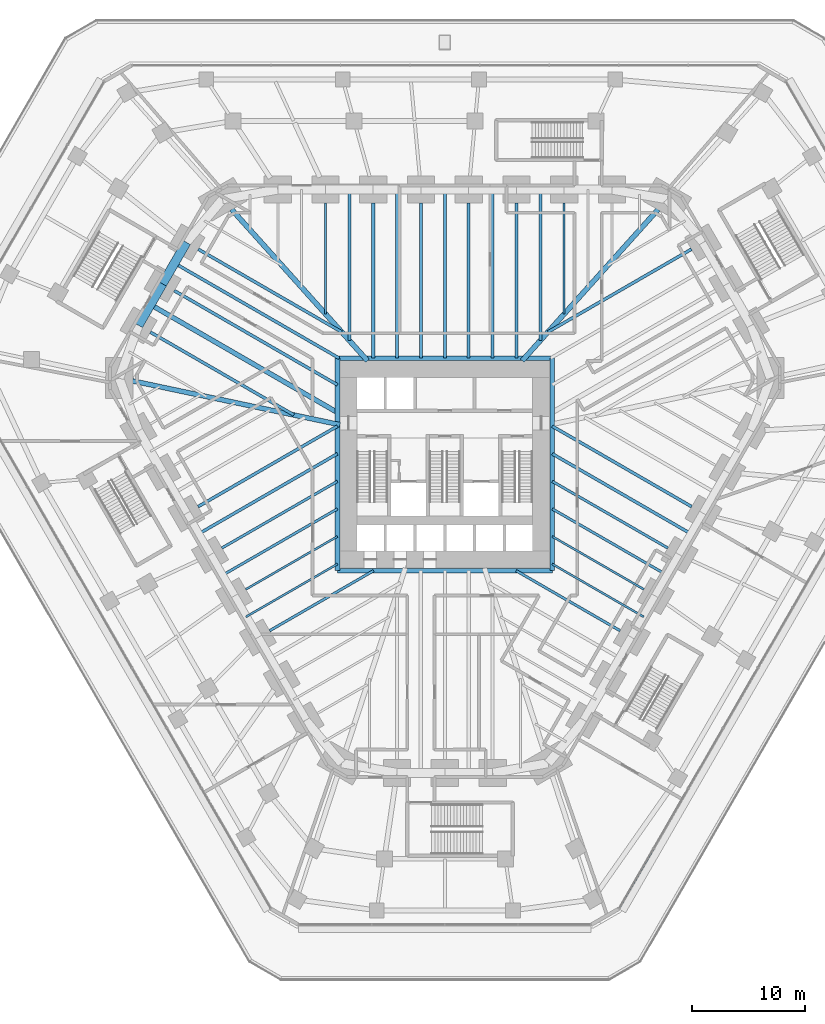
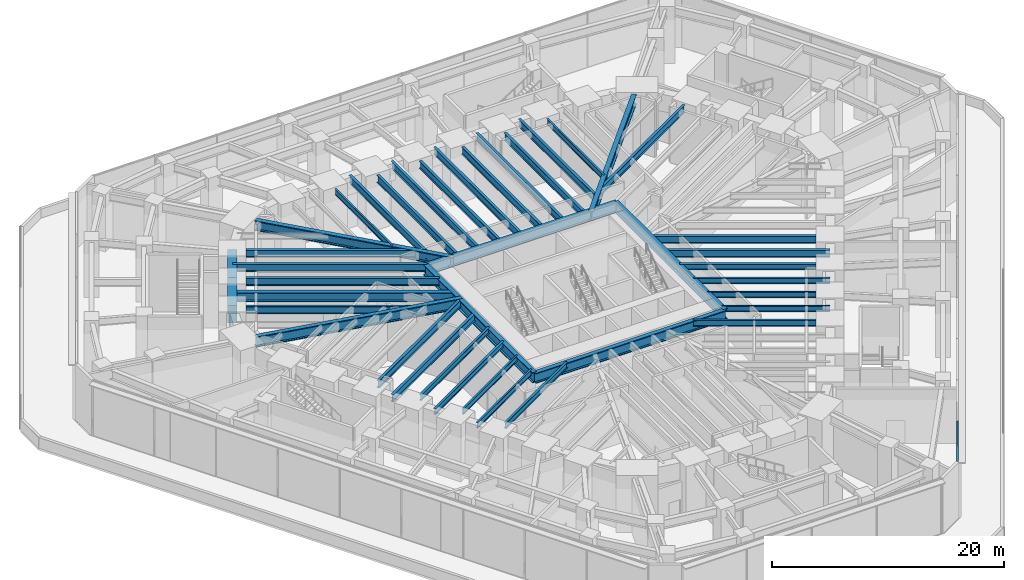
# One storey, part 6 of 25: 40 beams, 1 member, 1 element without a shape of its own.
"""IFC4 building model written with IfcOpenShell, lengths in metres."""

from ifc_helpers import new_model, si_unit, direction, frame, origin, origin_2d, place, context, subcontext, project, spatial, rectangle, i_section, extrude, material, material_profile, profile_set, type_object, element, aggregate, save


model = new_model("IFC4")

# Units and contexts
model_context = context("Model", 3, precision=1e-05, world=origin(), true_north=direction((0.0, 1.0)))
body_context = subcontext(model_context, "Body", "Model", "MODEL_VIEW")
ifc_project = project(units=[si_unit("LENGTHUNIT", "METRE"), si_unit("AREAUNIT", "SQUARE_METRE"), si_unit("VOLUMEUNIT", "CUBIC_METRE"), si_unit("PLANEANGLEUNIT", "RADIAN"), si_unit("MASSUNIT", "GRAM", prefix="KILO")], contexts=[model_context])

# Site, building, storey
site_placement = place(None, origin())
site = spatial("IfcSite", under=ifc_project, at=site_placement, CompositionType="ELEMENT")
building_placement = place(site_placement, origin())
building = spatial("IfcBuilding", under=site, at=building_placement, Name="Sandreach Pilgrim Tower", CompositionType="ELEMENT")
storey_placement = place(building_placement, frame((0.0, 0.0, 6.0)))
storey = spatial("IfcBuildingStorey", under=building, at=storey_placement, Name="L01", CompositionType="ELEMENT", Elevation=6.0)

# Curtain wall, member
ifc_material_1 = material(Name="Aluminium framed curtain wall", Category="aluminium")
curtain_wall_type = type_object("IfcCurtainWallType", Name="Podium storefront curtain wall", PredefinedType="NOTDEFINED", material=ifc_material_1)
curtain_wall_placement = place(storey_placement, origin())
curtain_wall = element("IfcCurtainWall", 1, at=curtain_wall_placement, inside=storey, type_object=curtain_wall_type, Name="CW-P L01 SE", PredefinedType="NOTDEFINED")
ifc_material_2 = material(Name="Aluminium extrusion", Category="aluminium")
ifc_material_profile_1 = material_profile(ifc_material_2, rectangle(XDim=0.159912109375, YDim=0.070068359375, at=origin_2d()), Name="CW-PT 160X70")
ifc_profile_set_1 = profile_set([ifc_material_profile_1], Name="Aluminium extrusion")
member_type = type_object("IfcMemberType", Name="CW-P transom", PredefinedType="USERDEFINED", material=ifc_profile_set_1)
member_placement = place(storey_placement, frame((18.385498046875, -35.451904296875, 5.804931640625), z_axis=(-0.500009808318, -0.866019740875, 0.0), x_axis=(0.866019740875, -0.500009808318, 0.0)))
member = element("IfcMember", 2, at=member_placement, type_object=member_type, Name="CW-P head transom 9", ObjectType="TRANSOM", PredefinedType="USERDEFINED", context=body_context, shape_type="SweptSolid", body=[
    extrude(rectangle(XDim=0.159912109375, YDim=0.070068359375, at=origin_2d()), origin(), (0.0, 0.0, 1.0), 6.03076171875),
])
aggregate(curtain_wall, [member])

# Beams
ifc_material_3 = material(Name="Steel ASTM A992 Grade 50", Category="steel")
ifc_material_profile_2 = material_profile(ifc_material_3, i_section(OverallWidth=0.424072265625, OverallDepth=1.09228515625, WebThickness=0.04541015625, FlangeThickness=0.08203125, at=origin_2d()), Name="W40X593")
ifc_profile_set_2 = profile_set([ifc_material_profile_2], Name="Steel ASTM A992 Grade 50")
beam_type_1 = type_object("IfcBeamType", Name="Core edge beam W40X593", PredefinedType="BEAM", material=ifc_profile_set_2)
beam_1_placement = place(storey_placement, frame((-9.47216796875, 7.822021484375, 5.2939453125), z_axis=(1.0, 0.0, 0.0), x_axis=(0.0, 1.0, 0.0)))
element("IfcBeam", 3, at=beam_1_placement, inside=storey, type_object=beam_type_1, Name="BM L01 CEN", PredefinedType="BEAM", context=body_context, shape_type="SweptSolid", body=[
    extrude(i_section(OverallWidth=0.424072265625, OverallDepth=1.09228515625, WebThickness=0.04541015625, FlangeThickness=0.08203125, at=origin_2d()), origin(), (0.0, 0.0, 1.0), 18.9443359375),
])
beam_2_placement = place(storey_placement, frame((9.47216796875, 7.822021484375, 5.2939453125), z_axis=(0.0, -1.0, 0.0), x_axis=(1.0, 0.0, 0.0)))
element("IfcBeam", 4, at=beam_2_placement, inside=storey, type_object=beam_type_1, Name="BM L01 CEE", PredefinedType="BEAM", context=body_context, shape_type="SweptSolid", body=[
    extrude(i_section(OverallWidth=0.424072265625, OverallDepth=1.09228515625, WebThickness=0.04541015625, FlangeThickness=0.08203125, at=origin_2d()), origin(), (0.0, 0.0, 1.0), 18.744140625),
])
beam_3_placement = place(storey_placement, frame((9.47216796875, -10.922119140625, 5.2939453125), z_axis=(-1.0, 0.0, 0.0), x_axis=(0.0, -1.0, 0.0)))
element("IfcBeam", 5, at=beam_3_placement, inside=storey, type_object=beam_type_1, Name="BM L01 CES", PredefinedType="BEAM", context=body_context, shape_type="SweptSolid", body=[
    extrude(i_section(OverallWidth=0.424072265625, OverallDepth=1.09228515625, WebThickness=0.04541015625, FlangeThickness=0.08203125, at=origin_2d()), origin(), (0.0, 0.0, 1.0), 18.9443359375),
])
beam_4_placement = place(storey_placement, frame((-9.47216796875, -10.922119140625, 5.2939453125), z_axis=(0.0, 1.0, 0.0), x_axis=(-1.0, 0.0, 0.0)))
element("IfcBeam", 6, at=beam_4_placement, inside=storey, type_object=beam_type_1, Name="BM L01 CEW", PredefinedType="BEAM", context=body_context, shape_type="SweptSolid", body=[
    extrude(i_section(OverallWidth=0.424072265625, OverallDepth=1.09228515625, WebThickness=0.04541015625, FlangeThickness=0.08203125, at=origin_2d()), origin(), (0.0, 0.0, 1.0), 18.744140625),
])
ifc_material_4 = material(Name="Steel ASTM A992 Grade 50", Category="steel")
ifc_material_profile_3 = material_profile(ifc_material_4, i_section(OverallWidth=0.447021484375, OverallDepth=1.0439453125, WebThickness=0.050048828125, FlangeThickness=0.08984375, at=origin_2d()), Name="W36X652")
ifc_profile_set_3 = profile_set([ifc_material_profile_3], Name="Steel ASTM A992 Grade 50")
beam_type_2 = type_object("IfcBeamType", Name="Corner girder W36X652", PredefinedType="BEAM", material=ifc_profile_set_3)
for number, where, z_axis, x_axis, name in (
    (7, (18.8046875, 20.94189453125, 5.318115234375), (-0.668127834846, -0.74404650144, 0.0), (0.74404650144, -0.668127834846, 0.0), "BM L01 CG09"),
    (8, (-18.8046875, 20.94189453125, 5.318115234375), (0.668127834846, -0.74404650144, 0.0), (0.74404650144, 0.668127834846, 0.0), "BM L01 CG39"),
):
    element("IfcBeam", number, at=place(storey_placement, frame(where, z_axis=z_axis, x_axis=x_axis)), inside=storey, type_object=beam_type_2, Name=name, PredefinedType="BEAM", context=body_context, shape_type="SweptSolid", body=[
        extrude(i_section(OverallWidth=0.447021484375, OverallDepth=1.0439453125, WebThickness=0.050048828125, FlangeThickness=0.08984375, at=origin_2d()), origin(), (0.0, 0.0, 1.0), 17.931396484375),
    ])
ifc_material_5 = material(Name="Steel ASTM A992 Grade 50", Category="steel")
ifc_material_profile_4 = material_profile(ifc_material_5, i_section(OverallWidth=0.424072265625, OverallDepth=1.09228515625, WebThickness=0.04541015625, FlangeThickness=0.08203125, at=origin_2d()), Name="W40X593")
ifc_profile_set_4 = profile_set([ifc_material_profile_4], Name="Steel ASTM A992 Grade 50")
beam_type_3 = type_object("IfcBeamType", Name="Corner girder W40X593", PredefinedType="BEAM", material=ifc_profile_set_4)
beam_5_placement = place(storey_placement, frame((-27.53857421875, 5.814208984375, 5.2939453125), z_axis=(0.978429884383, -0.206579189045, 0.0), x_axis=(0.206579189045, 0.978429884383, 0.0)))
element("IfcBeam", 9, at=beam_5_placement, inside=storey, type_object=beam_type_3, Name="BM L01 CG35", PredefinedType="BEAM", context=body_context, shape_type="SweptSolid", body=[
    extrude(i_section(OverallWidth=0.424072265625, OverallDepth=1.09228515625, WebThickness=0.04541015625, FlangeThickness=0.08203125, at=origin_2d()), origin(), (0.0, 0.0, 1.0), 18.691650390625),
])
ifc_material_6 = material(Name="Steel ASTM A992 Grade 50", Category="steel")
ifc_material_profile_5 = material_profile(ifc_material_6, i_section(OverallWidth=0.1787109375, OverallDepth=0.60205078125, WebThickness=0.010986328125, FlangeThickness=0.014892578125, at=origin_2d()), Name="W24X62")
ifc_profile_set_5 = profile_set([ifc_material_profile_5], Name="Steel ASTM A992 Grade 50")
beam_type_4 = type_object("IfcBeamType", Name="Floor beam W24X62", PredefinedType="BEAM", material=ifc_profile_set_5)
for number, where, z_axis, x_axis, name in (
    (10, (-10.52490234375, 21.48876953125, 5.5390625), (0.0, -1.0, 0.0), (1.0, 0.0, 0.0), "BM L01 F02"),
    (11, (10.52490234375, 21.48876953125, 5.5390625), (0.0, -1.0, 0.0), (1.0, 0.0, 0.0), "BM L01 F07"),
):
    element("IfcBeam", number, at=place(storey_placement, frame(where, z_axis=z_axis, x_axis=x_axis)), inside=storey, type_object=beam_type_4, Name=name, PredefinedType="BEAM", context=body_context, shape_type="SweptSolid", body=[
        extrude(i_section(OverallWidth=0.1787109375, OverallDepth=0.60205078125, WebThickness=0.010986328125, FlangeThickness=0.014892578125, at=origin_2d()), origin(), (0.0, 0.0, 1.0), 9.767822265625),
    ])
for number, where, z_axis, x_axis, name in (
    (12, (17.557373046875, -12.5673828125, 5.5390625), (-0.866026636512, 0.499997864846, 0.0), (-0.499997864846, -0.866026636512, 0.0), "BM L01 F18"),
    (13, (-17.557373046875, -12.5673828125, 5.5390625), (0.866026636512, 0.499997864846, 0.0), (-0.499997864846, 0.866026636512, 0.0), "BM L01 F30"),
):
    element("IfcBeam", number, at=place(storey_placement, frame(where, z_axis=z_axis, x_axis=x_axis)), inside=storey, type_object=beam_type_4, Name=name, PredefinedType="BEAM", context=body_context, shape_type="SweptSolid", body=[
        extrude(i_section(OverallWidth=0.1787109375, OverallDepth=0.60205078125, WebThickness=0.010986328125, FlangeThickness=0.014892578125, at=origin_2d()), origin(), (0.0, 0.0, 1.0), 9.3359375),
    ])
for number, where, z_axis, x_axis, name in (
    (14, (17.5439453125, -14.990234375, 5.5390625), (-0.866018083415, 0.500012679037, 0.0), (-0.500012679037, -0.866018083415, 0.0), "BM L01 FM18"),
    (15, (-17.5439453125, -14.990234375, 5.5390625), (0.866018083415, 0.500012679037, 0.0), (-0.500012679037, 0.866018083415, 0.0), "BM L01 FM29"),
):
    element("IfcBeam", number, at=place(storey_placement, frame(where, z_axis=z_axis, x_axis=x_axis)), inside=storey, type_object=beam_type_4, Name=name, PredefinedType="BEAM", context=body_context, shape_type="SweptSolid", body=[
        extrude(i_section(OverallWidth=0.1787109375, OverallDepth=0.60205078125, WebThickness=0.010986328125, FlangeThickness=0.014892578125, at=origin_2d()), origin(), (0.0, 0.0, 1.0), 9.320556640625),
    ])
ifc_material_7 = material(Name="Steel ASTM A992 Grade 50", Category="steel")
ifc_material_profile_6 = material_profile(ifc_material_7, i_section(OverallWidth=0.23046875, OverallDepth=0.6171875, WebThickness=0.01318359375, FlangeThickness=0.022216796875, at=origin_2d()), Name="W24X94")
ifc_profile_set_6 = profile_set([ifc_material_profile_6], Name="Steel ASTM A992 Grade 50")
beam_type_5 = type_object("IfcBeamType", Name="Floor beam W24X94", PredefinedType="BEAM", material=ifc_profile_set_6)
beam_6_placement = place(storey_placement, frame((19.662353515625, -8.92138671875, 5.531494140625), z_axis=(-0.866025609399, 0.499999643865, 0.0), x_axis=(-0.499999643865, -0.866025609399, 0.0)))
element("IfcBeam", 16, at=beam_6_placement, inside=storey, type_object=beam_type_5, Name="BM L01 F17", PredefinedType="BEAM", context=body_context, shape_type="SweptSolid", body=[
    extrude(i_section(OverallWidth=0.23046875, OverallDepth=0.6171875, WebThickness=0.01318359375, FlangeThickness=0.022216796875, at=origin_2d()), origin(), (0.0, 0.0, 1.0), 11.7666015625),
])
for number, where, z_axis, x_axis, name in (
    (17, (15.452392578125, -16.213134765625, 5.531494140625), (-0.866031141999, 0.499990060989, 0.0), (-0.499990060989, -0.866031141999, 0.0), "BM L01 F19"),
    (18, (-15.452392578125, -16.213134765625, 5.531494140625), (0.866031141999, 0.499990060989, 0.0), (-0.499990060989, 0.866031141999, 0.0), "BM L01 F29"),
):
    element("IfcBeam", number, at=place(storey_placement, frame(where, z_axis=z_axis, x_axis=x_axis)), inside=storey, type_object=beam_type_5, Name=name, PredefinedType="BEAM", context=body_context, shape_type="SweptSolid", body=[
        extrude(i_section(OverallWidth=0.23046875, OverallDepth=0.6171875, WebThickness=0.01318359375, FlangeThickness=0.022216796875, at=origin_2d()), origin(), (0.0, 0.0, 1.0), 10.582275390625),
    ])
beam_7_placement = place(storey_placement, frame((-19.662353515625, -8.92138671875, 5.531494140625), z_axis=(0.866025609399, 0.499999643865, 0.0), x_axis=(-0.499999643865, 0.866025609399, 0.0)))
element("IfcBeam", 19, at=beam_7_placement, inside=storey, type_object=beam_type_5, Name="BM L01 F31", PredefinedType="BEAM", context=body_context, shape_type="SweptSolid", body=[
    extrude(i_section(OverallWidth=0.23046875, OverallDepth=0.6171875, WebThickness=0.01318359375, FlangeThickness=0.022216796875, at=origin_2d()), origin(), (0.0, 0.0, 1.0), 11.7666015625),
])
for number, where, z_axis, x_axis, name in (
    (20, (19.64892578125, -11.34423828125, 5.531494140625), (-0.866027820364, 0.499995814338, 0.0), (-0.499995814338, -0.866027820364, 0.0), "BM L01 FM17"),
    (21, (-19.64892578125, -11.34423828125, 5.531494140625), (0.866027820364, 0.499995814338, 0.0), (-0.499995814338, 0.866027820364, 0.0), "BM L01 FM30"),
):
    element("IfcBeam", number, at=place(storey_placement, frame(where, z_axis=z_axis, x_axis=x_axis)), inside=storey, type_object=beam_type_5, Name=name, PredefinedType="BEAM", context=body_context, shape_type="SweptSolid", body=[
        extrude(i_section(OverallWidth=0.23046875, OverallDepth=0.6171875, WebThickness=0.01318359375, FlangeThickness=0.022216796875, at=origin_2d()), origin(), (0.0, 0.0, 1.0), 11.7509765625),
    ])
ifc_material_8 = material(Name="Steel ASTM A992 Grade 50", Category="steel")
ifc_material_profile_7 = material_profile(ifc_material_8, i_section(OverallWidth=0.2666015625, OverallDepth=0.761962890625, WebThickness=0.014404296875, FlangeThickness=0.021484375, at=origin_2d()), Name="W30X116")
ifc_profile_set_7 = profile_set([ifc_material_profile_7], Name="Steel ASTM A992 Grade 50")
beam_type_6 = type_object("IfcBeamType", Name="Floor beam W30X116", PredefinedType="BEAM", material=ifc_profile_set_7)
for number, where, z_axis, x_axis, name in (
    (22, (-6.31494140625, 21.48876953125, 5.458984375), (0.0, -1.0, 0.0), (1.0, 0.0, 0.0), "BM L01 F03"),
    (23, (-2.10498046875, 21.48876953125, 5.458984375), (0.0, -1.0, 0.0), (1.0, 0.0, 0.0), "BM L01 F04"),
    (24, (2.10498046875, 21.48876953125, 5.458984375), (0.0, -1.0, 0.0), (1.0, 0.0, 0.0), "BM L01 F05"),
    (25, (6.31494140625, 21.48876953125, 5.458984375), (0.0, -1.0, 0.0), (1.0, 0.0, 0.0), "BM L01 F06"),
):
    element("IfcBeam", number, at=place(storey_placement, frame(where, z_axis=z_axis, x_axis=x_axis)), inside=storey, type_object=beam_type_6, Name=name, PredefinedType="BEAM", context=body_context, shape_type="SweptSolid", body=[
        extrude(i_section(OverallWidth=0.2666015625, OverallDepth=0.761962890625, WebThickness=0.014404296875, FlangeThickness=0.021484375, at=origin_2d()), origin(), (0.0, 0.0, 1.0), 13.666748046875),
    ])
beam_8_placement = place(storey_placement, frame((21.74853515625, 17.43212890625, 5.458984375), z_axis=(-0.866020355572, -0.500008743658, 0.0), x_axis=(0.500008743658, -0.866020355572, 0.0)))
element("IfcBeam", 26, at=beam_8_placement, inside=storey, type_object=beam_type_6, Name="BM L01 F10", PredefinedType="BEAM", context=body_context, shape_type="SweptSolid", body=[
    extrude(i_section(OverallWidth=0.2666015625, OverallDepth=0.761962890625, WebThickness=0.014404296875, FlangeThickness=0.021484375, at=origin_2d()), origin(), (0.0, 0.0, 1.0), 14.615966796875),
])
for number, where, z_axis, x_axis, name in (
    (27, (21.76708984375, -5.275390625, 5.458984375), (-0.866028081176, 0.499995362593, 0.0), (-0.499995362593, -0.866028081176, 0.0), "BM L01 F16"),
    (28, (-21.76708984375, -5.275390625, 5.458984375), (0.866028081176, 0.499995362593, 0.0), (-0.499995362593, 0.866028081176, 0.0), "BM L01 F32"),
):
    element("IfcBeam", number, at=place(storey_placement, frame(where, z_axis=z_axis, x_axis=x_axis)), inside=storey, type_object=beam_type_6, Name=name, PredefinedType="BEAM", context=body_context, shape_type="SweptSolid", body=[
        extrude(i_section(OverallWidth=0.2666015625, OverallDepth=0.761962890625, WebThickness=0.014404296875, FlangeThickness=0.021484375, at=origin_2d()), origin(), (0.0, 0.0, 1.0), 14.197021484375),
    ])
for number, where, z_axis, x_axis, name in (
    (29, (-25.970947265625, 10.118896484375, 5.458984375), (0.866020355572, -0.500008743658, 0.0), (0.500008743658, 0.866020355572, 0.0), "BM L01 F36"),
    (30, (-21.74853515625, 17.43212890625, 5.458984375), (0.866020355572, -0.500008743658, 0.0), (0.500008743658, 0.866020355572, 0.0), "BM L01 F38"),
):
    element("IfcBeam", number, at=place(storey_placement, frame(where, z_axis=z_axis, x_axis=x_axis)), inside=storey, type_object=beam_type_6, Name=name, PredefinedType="BEAM", context=body_context, shape_type="SweptSolid", body=[
        extrude(i_section(OverallWidth=0.2666015625, OverallDepth=0.761962890625, WebThickness=0.014404296875, FlangeThickness=0.021484375, at=origin_2d()), origin(), (0.0, 0.0, 1.0), 14.615966796875),
    ])
beam_9_placement = place(storey_placement, frame((-8.419921875, 22.688720703125, 5.458984375), z_axis=(0.0, -1.0, 0.0), x_axis=(1.0, 0.0, 0.0)))
element("IfcBeam", 31, at=beam_9_placement, inside=storey, type_object=beam_type_6, Name="BM L01 FM02", PredefinedType="BEAM", context=body_context, shape_type="SweptSolid", body=[
    extrude(i_section(OverallWidth=0.2666015625, OverallDepth=0.761962890625, WebThickness=0.014404296875, FlangeThickness=0.021484375, at=origin_2d()), origin(), (0.0, 0.0, 1.0), 13.311767578125),
])
for number, where, z_axis, x_axis, name in (
    (32, (-4.2099609375, 22.688720703125, 5.458984375), (0.0, -1.0, 0.0), (1.0, 0.0, 0.0), "BM L01 FM03"),
    (33, (0.0, 22.688720703125, 5.458984375), (0.0, -1.0, 0.0), (1.0, 0.0, 0.0), "BM L01 FM04"),
    (34, (4.2099609375, 22.688720703125, 5.458984375), (0.0, -1.0, 0.0), (1.0, 0.0, 0.0), "BM L01 FM05"),
):
    element("IfcBeam", number, at=place(storey_placement, frame(where, z_axis=z_axis, x_axis=x_axis)), inside=storey, type_object=beam_type_6, Name=name, PredefinedType="BEAM", context=body_context, shape_type="SweptSolid", body=[
        extrude(i_section(OverallWidth=0.2666015625, OverallDepth=0.761962890625, WebThickness=0.014404296875, FlangeThickness=0.021484375, at=origin_2d()), origin(), (0.0, 0.0, 1.0), 14.86669921875),
    ])
beam_10_placement = place(storey_placement, frame((8.419921875, 22.688720703125, 5.458984375), z_axis=(0.0, -1.0, 0.0), x_axis=(1.0, 0.0, 0.0)))
element("IfcBeam", 35, at=beam_10_placement, inside=storey, type_object=beam_type_6, Name="BM L01 FM06", PredefinedType="BEAM", context=body_context, shape_type="SweptSolid", body=[
    extrude(i_section(OverallWidth=0.2666015625, OverallDepth=0.761962890625, WebThickness=0.014404296875, FlangeThickness=0.021484375, at=origin_2d()), origin(), (0.0, 0.0, 1.0), 13.311767578125),
])
for number, where, z_axis, x_axis, name in (
    (36, (21.75390625, -7.698486328125, 5.458984375), (-0.866019310865, 0.500010553097, 0.0), (-0.500010553097, -0.866019310865, 0.0), "BM L01 FM16"),
    (37, (-21.75390625, -7.698486328125, 5.458984375), (0.866019310865, 0.500010553097, 0.0), (-0.500010553097, 0.866019310865, 0.0), "BM L01 FM31"),
):
    element("IfcBeam", number, at=place(storey_placement, frame(where, z_axis=z_axis, x_axis=x_axis)), inside=storey, type_object=beam_type_6, Name=name, PredefinedType="BEAM", context=body_context, shape_type="SweptSolid", body=[
        extrude(i_section(OverallWidth=0.2666015625, OverallDepth=0.761962890625, WebThickness=0.014404296875, FlangeThickness=0.021484375, at=origin_2d()), origin(), (0.0, 0.0, 1.0), 14.181884765625),
    ])
ifc_material_9 = material(Name="Steel ASTM A992 Grade 50", Category="steel")
ifc_material_profile_8 = material_profile(ifc_material_9, i_section(OverallWidth=0.2666015625, OverallDepth=0.77978515625, WebThickness=0.0166015625, FlangeThickness=0.030029296875, at=origin_2d()), Name="W30X148")
ifc_profile_set_8 = profile_set([ifc_material_profile_8], Name="Steel ASTM A992 Grade 50")
beam_type_7 = type_object("IfcBeamType", Name="Floor beam W30X148", PredefinedType="BEAM", material=ifc_profile_set_8)
beam_11_placement = place(storey_placement, frame((-23.85986328125, 13.775390625, 5.4501953125), z_axis=(0.866027987673, -0.499995524547, 0.0), x_axis=(0.499995524547, 0.866027987673, 0.0)))
element("IfcBeam", 38, at=beam_11_placement, inside=storey, type_object=beam_type_7, Name="BM L01 F37", PredefinedType="BEAM", context=body_context, shape_type="SweptSolid", body=[
    extrude(i_section(OverallWidth=0.2666015625, OverallDepth=0.77978515625, WebThickness=0.0166015625, FlangeThickness=0.030029296875, at=origin_2d()), origin(), (0.0, 0.0, 1.0), 16.613525390625),
])
beam_12_placement = place(storey_placement, frame((-23.843505859375, 16.203857421875, 5.4501953125), z_axis=(0.866022606334, -0.500004845295, 0.0), x_axis=(0.500004845295, 0.866022606334, 0.0)))
element("IfcBeam", 39, at=beam_12_placement, inside=storey, type_object=beam_type_7, Name="BM L01 FM37", PredefinedType="BEAM", context=body_context, shape_type="SweptSolid", body=[
    extrude(i_section(OverallWidth=0.2666015625, OverallDepth=0.77978515625, WebThickness=0.0166015625, FlangeThickness=0.030029296875, at=origin_2d()), origin(), (0.0, 0.0, 1.0), 16.763427734375),
])
ifc_material_10 = material(Name="Steel ASTM A992 Grade 50", Category="steel")
ifc_material_profile_9 = material_profile(ifc_material_10, i_section(OverallWidth=0.419189453125, OverallDepth=0.927001953125, WebThickness=0.019287109375, FlangeThickness=0.031982421875, at=origin_2d()), Name="W36X231")
ifc_profile_set_9 = profile_set([ifc_material_profile_9], Name="Steel ASTM A992 Grade 50")
beam_type_8 = type_object("IfcBeamType", Name="Floor beam W36X231", PredefinedType="BEAM", material=ifc_profile_set_9)
beam_13_placement = place(storey_placement, frame((-25.95458984375, 12.547119140625, 5.37646484375), z_axis=(0.866025800233, -0.499999313329, 0.0), x_axis=(0.499999313329, 0.866025800233, 0.0)))
element("IfcBeam", 40, at=beam_13_placement, inside=storey, type_object=beam_type_8, Name="BM L01 FM36", PredefinedType="BEAM", context=body_context, shape_type="SweptSolid", body=[
    extrude(i_section(OverallWidth=0.419189453125, OverallDepth=0.927001953125, WebThickness=0.019287109375, FlangeThickness=0.031982421875, at=origin_2d()), origin(), (0.0, 0.0, 1.0), 19.0322265625),
])
ifc_material_11 = material(Name="Concrete 10000 psi", Category="concrete")
ifc_material_profile_10 = material_profile(ifc_material_11, rectangle(XDim=0.800048828125, YDim=1.800048828125, at=origin_2d()), Name="RC800X1800")
ifc_profile_set_10 = profile_set([ifc_material_profile_10], Name="Concrete 10000 psi")
beam_type_9 = type_object("IfcBeamType", Name="Spandrel beam RC800X1800", PredefinedType="SPANDREL", material=ifc_profile_set_10)
beam_14_placement = place(storey_placement, frame((-27.01025390625, 10.71875, 4.93994140625), z_axis=(0.500019412692, 0.866014195571, 0.0), x_axis=(-0.866014195571, 0.500019412692, 0.0)))
element("IfcBeam", 41, at=beam_14_placement, inside=storey, type_object=beam_type_9, Name="BM L01 SP36", PredefinedType="SPANDREL", context=body_context, shape_type="SweptSolid", body=[
    extrude(rectangle(XDim=0.800048828125, YDim=1.800048828125, at=origin_2d()), origin(), (0.0, 0.0, 1.0), 4.222412109375),
])
beam_15_placement = place(storey_placement, frame((-24.89892578125, 14.37548828125, 4.93994140625), z_axis=(0.500001084989, 0.866024777365, 0.0), x_axis=(-0.866024777365, 0.500001084989, 0.0)))
element("IfcBeam", 42, at=beam_15_placement, inside=storey, type_object=beam_type_9, Name="BM L01 SP37", PredefinedType="SPANDREL", context=body_context, shape_type="SweptSolid", body=[
    extrude(rectangle(XDim=0.800048828125, YDim=1.800048828125, at=origin_2d()), origin(), (0.0, 0.0, 1.0), 4.22216796875),
])

save(model, "model.ifc")
